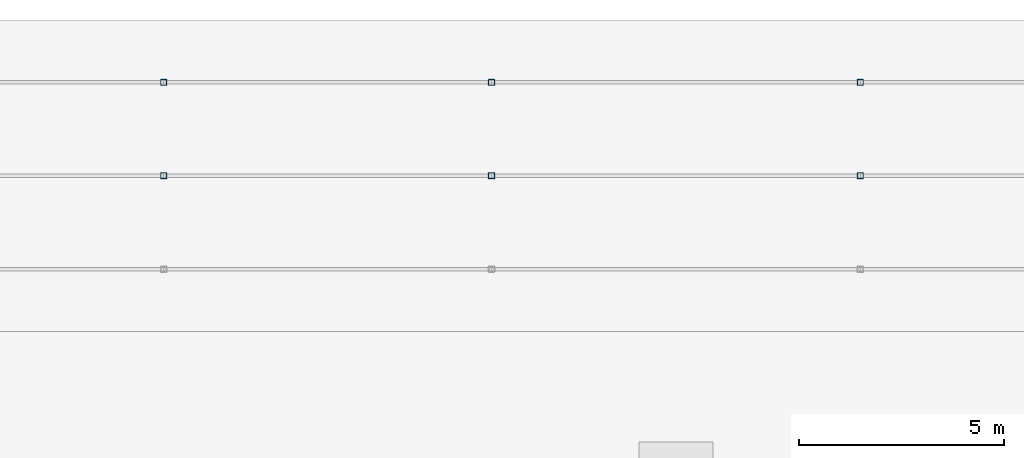
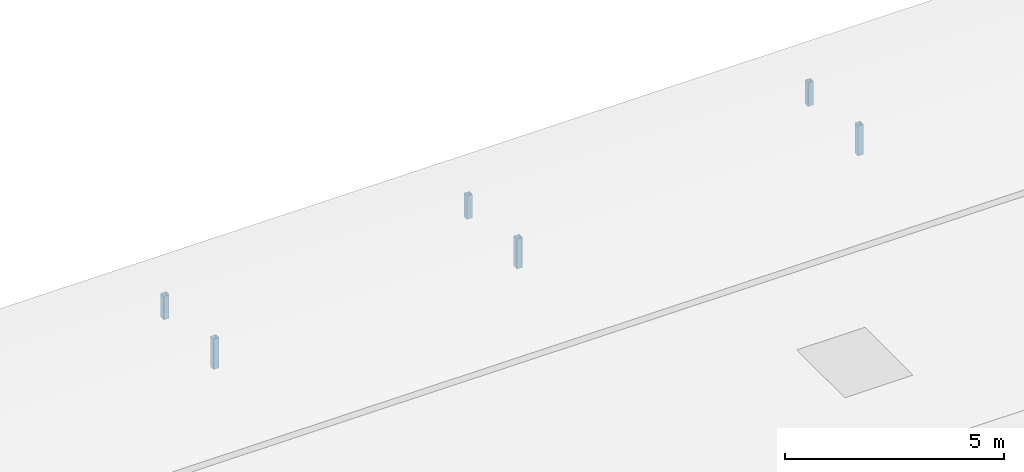
# One storey, part 36 of 46: 6 members.
"""IFC4 building model written with IfcOpenShell, lengths in metres."""

from ifc_helpers import new_model, si_unit, direction, frame, origin, origin_2d, place, context, subcontext, project, spatial, hollow_rectangle, extrude, material, material_profile, profile_set, type_object, element, save


model = new_model("IFC4")

# Units and contexts
model_context = context("Model", 3, precision=1e-05, world=origin(), true_north=direction((0.0, 1.0)))
body_context = subcontext(model_context, "Body", "Model", "MODEL_VIEW")
ifc_project = project(units=[si_unit("LENGTHUNIT", "METRE"), si_unit("AREAUNIT", "SQUARE_METRE"), si_unit("VOLUMEUNIT", "CUBIC_METRE"), si_unit("PLANEANGLEUNIT", "RADIAN"), si_unit("MASSUNIT", "GRAM", prefix="KILO")], contexts=[model_context])

# Site, building, storey
site_placement = place(None, origin())
site = spatial("IfcSite", under=ifc_project, at=site_placement, CompositionType="ELEMENT")
building_placement = place(site_placement, origin())
building = spatial("IfcBuilding", under=site, at=building_placement, Name="Shalkamar Park Central Library", CompositionType="ELEMENT")
storey_placement = place(building_placement, frame((0.0, 0.0, 20.39990234375)))
storey = spatial("IfcBuildingStorey", under=building, at=storey_placement, Name="L05", CompositionType="ELEMENT", Elevation=20.39990234375)

# Members
ifc_material = material(Name="Steel S355", Category="steel")
ifc_material_profile = material_profile(ifc_material, hollow_rectangle(XDim=0.14990234375, YDim=0.14990234375, WallThickness=0.008056640625, InnerFilletRadius=0.008056640625, OuterFilletRadius=0.011962890625, at=origin_2d()), Name="SHS 150x150x8")
ifc_profile_set = profile_set([ifc_material_profile], Name="Steel S355")
member_type = type_object("IfcMemberType", Name="Diagonal Brace SHS150", PredefinedType="BRACE", material=ifc_profile_set)
member_1_placement = place(storey_placement, frame((229.0, 312.199951171875, -0.35986328125), z_axis=(0.0, 0.0, 1.0), x_axis=(1.0, 0.0, 0.0)))
element("IfcMember", 1, at=member_1_placement, inside=storey, type_object=member_type, Name="Vault Arch Post BV-L04-N2-15.2", PredefinedType="BRACE", context=body_context, shape_type="SweptSolid", body=[
    extrude(hollow_rectangle(XDim=0.14990234375, YDim=0.14990234375, WallThickness=0.008056640625, InnerFilletRadius=0.008056640625, OuterFilletRadius=0.011962890625, at=origin_2d()), origin(), (0.0, 0.0, 1.0), 0.83984375),
])
member_2_placement = place(storey_placement, frame((229.0, 314.47998046875, -0.35986328125), z_axis=(0.0, 0.0, 1.0), x_axis=(1.0, 0.0, 0.0)))
element("IfcMember", 2, at=member_2_placement, inside=storey, type_object=member_type, Name="Vault Arch Post BV-L04-N2-15.3", PredefinedType="BRACE", context=body_context, shape_type="SweptSolid", body=[
    extrude(hollow_rectangle(XDim=0.14990234375, YDim=0.14990234375, WallThickness=0.008056640625, InnerFilletRadius=0.008056640625, OuterFilletRadius=0.011962890625, at=origin_2d()), origin(), (0.0, 0.0, 1.0), 0.65283203125),
])
member_3_placement = place(storey_placement, frame((237.0, 312.199951171875, -0.35986328125), z_axis=(0.0, 0.0, 1.0), x_axis=(1.0, 0.0, 0.0)))
element("IfcMember", 3, at=member_3_placement, inside=storey, type_object=member_type, Name="Vault Arch Post BV-L04-N2-16.2", PredefinedType="BRACE", context=body_context, shape_type="SweptSolid", body=[
    extrude(hollow_rectangle(XDim=0.14990234375, YDim=0.14990234375, WallThickness=0.008056640625, InnerFilletRadius=0.008056640625, OuterFilletRadius=0.011962890625, at=origin_2d()), origin(), (0.0, 0.0, 1.0), 0.83984375),
])
member_4_placement = place(storey_placement, frame((237.0, 314.47998046875, -0.35986328125), z_axis=(0.0, 0.0, 1.0), x_axis=(1.0, 0.0, 0.0)))
element("IfcMember", 4, at=member_4_placement, inside=storey, type_object=member_type, Name="Vault Arch Post BV-L04-N2-16.3", PredefinedType="BRACE", context=body_context, shape_type="SweptSolid", body=[
    extrude(hollow_rectangle(XDim=0.14990234375, YDim=0.14990234375, WallThickness=0.008056640625, InnerFilletRadius=0.008056640625, OuterFilletRadius=0.011962890625, at=origin_2d()), origin(), (0.0, 0.0, 1.0), 0.65283203125),
])
member_5_placement = place(storey_placement, frame((246.0, 312.199951171875, -0.35986328125), z_axis=(0.0, 0.0, 1.0), x_axis=(1.0, 0.0, 0.0)))
element("IfcMember", 5, at=member_5_placement, inside=storey, type_object=member_type, Name="Vault Arch Post BV-L04-N2-17.2", PredefinedType="BRACE", context=body_context, shape_type="SweptSolid", body=[
    extrude(hollow_rectangle(XDim=0.14990234375, YDim=0.14990234375, WallThickness=0.008056640625, InnerFilletRadius=0.008056640625, OuterFilletRadius=0.011962890625, at=origin_2d()), origin(), (0.0, 0.0, 1.0), 0.83984375),
])
member_6_placement = place(storey_placement, frame((246.0, 314.47998046875, -0.35986328125), z_axis=(0.0, 0.0, 1.0), x_axis=(1.0, 0.0, 0.0)))
element("IfcMember", 6, at=member_6_placement, inside=storey, type_object=member_type, Name="Vault Arch Post BV-L04-N2-17.3", PredefinedType="BRACE", context=body_context, shape_type="SweptSolid", body=[
    extrude(hollow_rectangle(XDim=0.14990234375, YDim=0.14990234375, WallThickness=0.008056640625, InnerFilletRadius=0.008056640625, OuterFilletRadius=0.011962890625, at=origin_2d()), origin(), (0.0, 0.0, 1.0), 0.65283203125),
])

save(model, "model.ifc")
